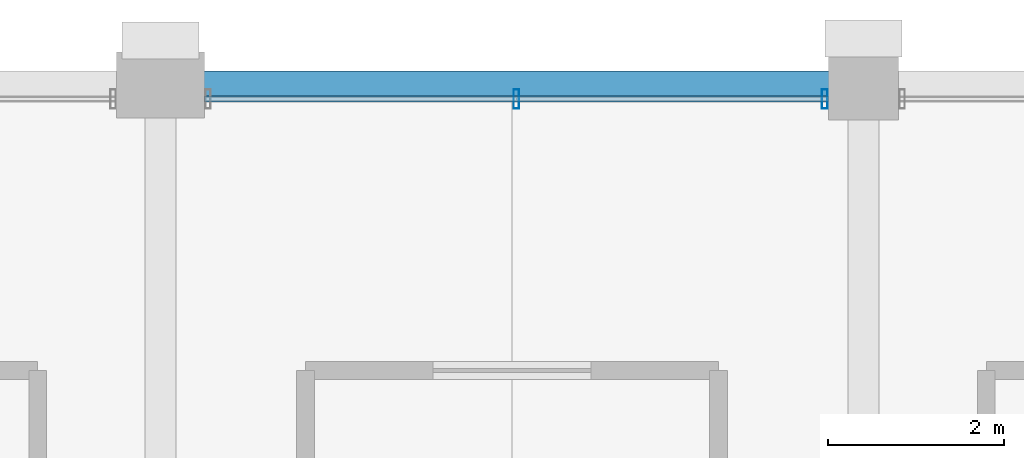
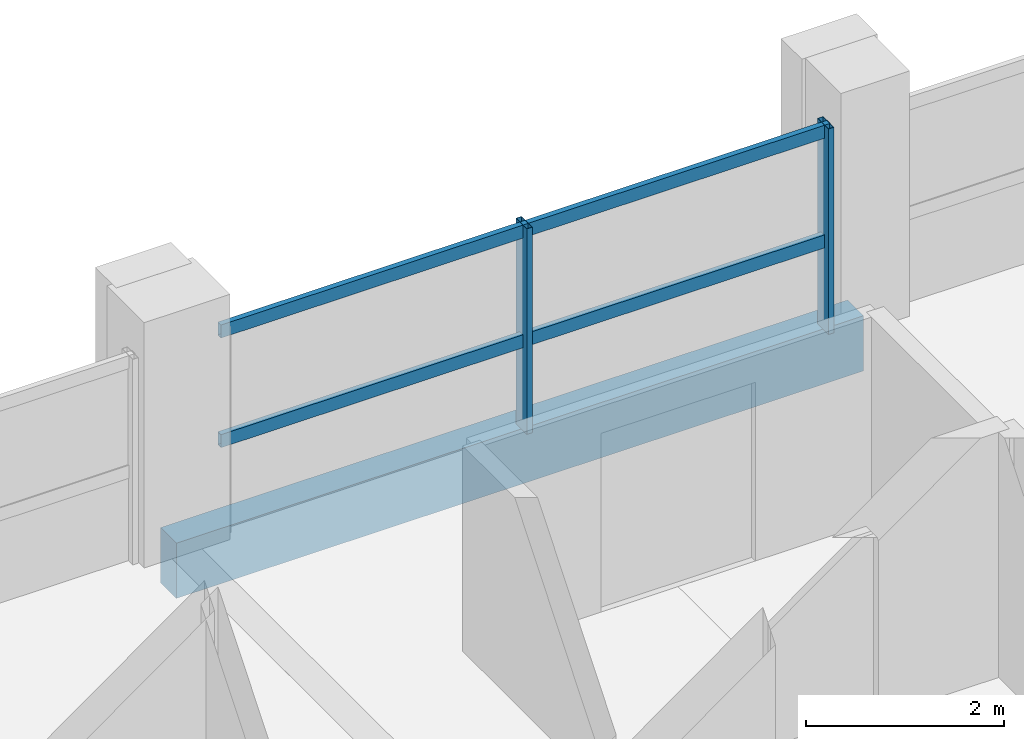
# One storey, part 14 of 23: 4 members, 1 beam, 1 element without a shape of its own.
"""IFC4 building model written with IfcOpenShell, lengths in metres."""

from ifc_helpers import new_model, si_unit, direction, frame, origin, origin_2d, place, context, subcontext, project, spatial, rectangle, hollow_rectangle, extrude, material, material_profile, profile_set, type_object, element, aggregate, save


model = new_model("IFC4")

# Units and contexts
model_context = context("Model", 3, precision=1e-05, world=origin(), true_north=direction((0.0, 1.0)))
body_context = subcontext(model_context, "Body", "Model", "MODEL_VIEW")
ifc_project = project(units=[si_unit("LENGTHUNIT", "METRE"), si_unit("AREAUNIT", "SQUARE_METRE"), si_unit("VOLUMEUNIT", "CUBIC_METRE"), si_unit("PLANEANGLEUNIT", "RADIAN"), si_unit("MASSUNIT", "GRAM", prefix="KILO")], contexts=[model_context])

# Site, building, storey
site_placement = place(None, origin())
site = spatial("IfcSite", under=ifc_project, at=site_placement, CompositionType="ELEMENT")
building_placement = place(site_placement, origin())
building = spatial("IfcBuilding", under=site, at=building_placement, Name="Akrevak Sports Hall", CompositionType="ELEMENT")
storey_placement = place(building_placement, frame((0.0, 0.0, 43.800048828125)))
storey = spatial("IfcBuildingStorey", under=building, at=storey_placement, Name="L10", CompositionType="ELEMENT", Elevation=43.800048828125)

# Curtain wall, members
ifc_material_1 = material(Name="Anodized Bronze Aluminium & Low-E Glass", Category="aluminium")
curtain_wall_type = type_object("IfcCurtainWallType", Name="ARC-CW-TWR-64x30", PredefinedType="NOTDEFINED", material=ifc_material_1)
curtain_wall_placement = place(storey_placement, origin())
curtain_wall = element("IfcCurtainWall", 1, at=curtain_wall_placement, inside=storey, type_object=curtain_wall_type, Name="Curtain Wall CW-L10-N22", PredefinedType="NOTDEFINED")
ifc_material_2 = material(Name="Anodized Bronze Aluminium", Category="aluminium")
ifc_material_profile_1 = material_profile(ifc_material_2, hollow_rectangle(XDim=0.06494140625, YDim=0.219970703125, WallThickness=0.00439453125, at=origin_2d()), Name="CWM 65x220", Category="aluminium")
ifc_profile_set_1 = profile_set([ifc_material_profile_1], Name="Anodized Bronze Aluminium")
member_type_1 = type_object("IfcMemberType", Name="ARC-CWM-70x160", PredefinedType="MULLION", material=ifc_profile_set_1)
member_1_placement = place(storey_placement, frame((83.56005859375, 69.43994140625, 0.0), z_axis=(0.0, 0.0, 1.0), x_axis=(-1.0, 0.0, 0.0)))
member_1 = element("IfcMember", 2, at=member_1_placement, type_object=member_type_1, Name="Curtain Wall Mullion CW-L10-N22-M1", PredefinedType="MULLION", context=body_context, shape_type="SweptSolid", body=[
    extrude(hollow_rectangle(XDim=0.06494140625, YDim=0.219970703125, WallThickness=0.00439453125, at=origin_2d()), origin(), (0.0, 0.0, 1.0), 2.530029296875),
])
member_2_placement = place(storey_placement, frame((80.050048828125, 69.43994140625, 0.0), z_axis=(0.0, 0.0, 1.0), x_axis=(-1.0, 0.0, 0.0)))
member_2 = element("IfcMember", 3, at=member_2_placement, type_object=member_type_1, Name="Curtain Wall Mullion CW-L10-N22-M2", PredefinedType="MULLION", context=body_context, shape_type="SweptSolid", body=[
    extrude(hollow_rectangle(XDim=0.06494140625, YDim=0.219970703125, WallThickness=0.00439453125, at=origin_2d()), origin(), (0.0, 0.0, 1.0), 2.530029296875),
])
ifc_material_profile_2 = material_profile(ifc_material_2, hollow_rectangle(XDim=0.06494140625, YDim=0.159912109375, WallThickness=0.00390625, at=origin_2d()), Name="CWT 65x160", Category="aluminium")
ifc_profile_set_2 = profile_set([ifc_material_profile_2], Name="Anodized Bronze Aluminium")
member_type_2 = type_object("IfcMemberType", Name="ARC-CWT-70x130", PredefinedType="USERDEFINED", material=ifc_profile_set_2)
member_3_placement = place(storey_placement, frame((83.60009765625, 69.43994140625, 1.099853515625), z_axis=(-1.0, 0.0, 0.0), x_axis=(0.0, -1.0, 0.0)))
member_3 = element("IfcMember", 4, at=member_3_placement, type_object=member_type_2, Name="Curtain Wall Transom CW-L10-N22-T1", ObjectType="TRANSOM", PredefinedType="USERDEFINED", context=body_context, shape_type="SweptSolid", body=[
    extrude(hollow_rectangle(XDim=0.06494140625, YDim=0.159912109375, WallThickness=0.00390625, at=origin_2d()), origin(), (0.0, 0.0, 1.0), 7.10009765625),
])
member_4_placement = place(storey_placement, frame((83.60009765625, 69.43994140625, 2.449951171875), z_axis=(-1.0, 0.0, 0.0), x_axis=(0.0, -1.0, 0.0)))
member_4 = element("IfcMember", 5, at=member_4_placement, type_object=member_type_2, Name="Curtain Wall Transom CW-L10-N22-T2", ObjectType="TRANSOM", PredefinedType="USERDEFINED", context=body_context, shape_type="SweptSolid", body=[
    extrude(hollow_rectangle(XDim=0.06494140625, YDim=0.159912109375, WallThickness=0.00390625, at=origin_2d()), origin(), (0.0, 0.0, 1.0), 7.10009765625),
])
aggregate(curtain_wall, [member_1, member_2, member_3, member_4])

# Beam
ifc_material_3 = material(Name="Concrete C40/50", Category="concrete")
ifc_material_profile_3 = material_profile(ifc_material_3, rectangle(XDim=0.320068359375, YDim=0.679931640625, at=origin_2d()), Name="SPD 320x680", Category="concrete")
ifc_profile_set_3 = profile_set([ifc_material_profile_3], Name="Concrete C40/50")
beam_type = type_object("IfcBeamType", Name="STR-SPD-RC320x680", PredefinedType="SPANDREL", material=ifc_profile_set_3)
beam_placement = place(storey_placement, frame((76.0, 69.60009765625, -0.340087890625), z_axis=(1.0, 0.0, 0.0), x_axis=(0.0, 1.0, 0.0)))
element("IfcBeam", 6, at=beam_placement, inside=storey, type_object=beam_type, Name="Girder K/11-12 (L10)", PredefinedType="SPANDREL", context=body_context, shape_type="SweptSolid", body=[
    extrude(rectangle(XDim=0.320068359375, YDim=0.679931640625, at=origin_2d()), origin(), (0.0, 0.0, 1.0), 8.0),
])

save(model, "model.ifc")
